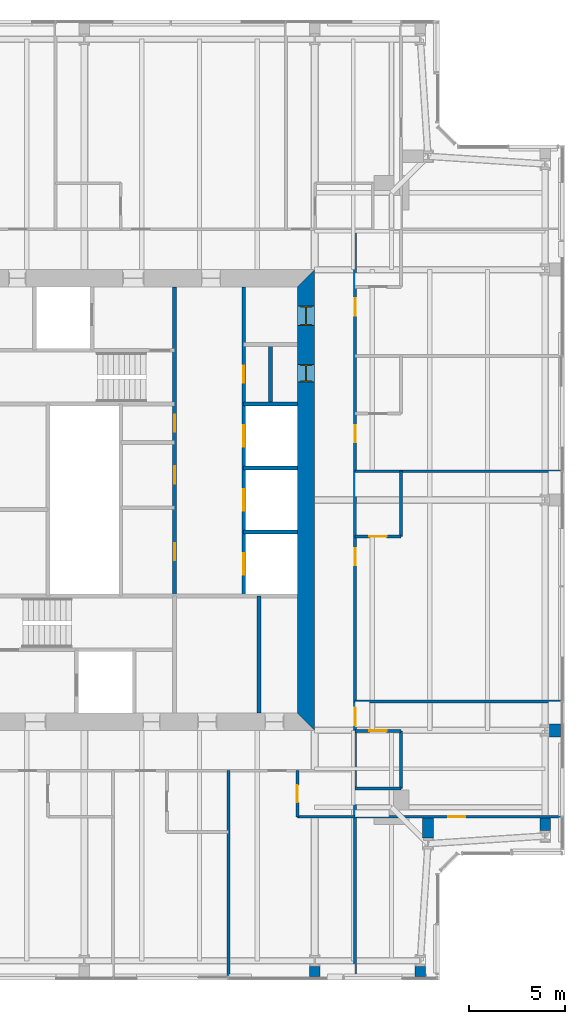
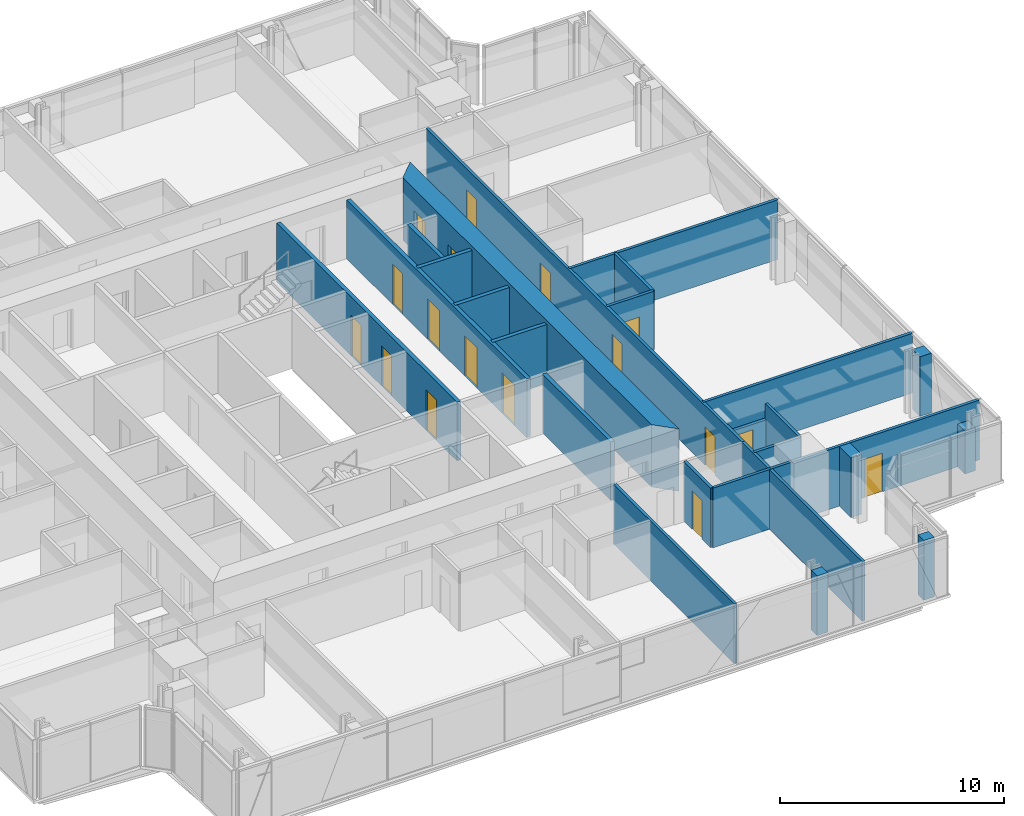
# One storey, part 13 of 20: 26 walls, 17 doors, 17 openings.
"""IFC4 building model written with IfcOpenShell, lengths in metres."""

import ifcopenshell
import ifcopenshell.guid

model = None  # the IFC model being written
_history = None  # IfcOwnerHistory: only IFC2X3 demands one
_inside = {}  # id of a spatial element -> (the spatial element, [elements in it])
_under = {}  # id of a project, library or spatial element -> (it, [spatial elements below it])
_declared = {}  # id of a project -> (the project, [libraries it declares])
_typed = {}  # id of a type object -> (the type object, [elements of that type])
_made_of = {}  # id of a material, layer set ... -> (it, [elements and type objects made of it])


def new_model(schema):
    """Start an empty IFC model of exactly this schema.

    Asked for "IFC4X3", IfcOpenShell would pick the latest addendum, in which some entities
    have other attributes; the version numbers below select the first issue.
    IFC2X3 requires an IfcOwnerHistory on every rooted entity: one is made here for all.
    """
    global model, _history
    if schema == "IFC4X3":
        model = ifcopenshell.file(schema_version=(4, 3, 0, 0))
    else:
        model = ifcopenshell.file(schema=schema)
    _inside.clear()
    _under.clear()
    _declared.clear()
    _typed.clear()
    _made_of.clear()
    _history = None
    if model.schema == "IFC2X3":
        org = make("IfcOrganization", Name="unknown")
        user = make(
            "IfcPersonAndOrganization",
            ThePerson=make("IfcPerson", FamilyName="unknown"),
            TheOrganization=org,
        )
        app = make(
            "IfcApplication",
            ApplicationDeveloper=org,
            Version="unknown",
            ApplicationFullName="unknown",
            ApplicationIdentifier="unknown",
        )
        _history = make(
            "IfcOwnerHistory",
            OwningUser=user,
            OwningApplication=app,
            ChangeAction="ADDED",
            CreationDate=0,
        )
    return model


def make(cls, **values):
    """One entity of the class cls with the attributes given. An attribute that is None is left unset."""
    return model.create_entity(
        cls, **{name: value for name, value in values.items() if value is not None}
    )


def rooted(cls, **values):
    """An entity with a GlobalId (a new one), such as an element, a storey or a relation."""
    return make(cls, GlobalId=ifcopenshell.guid.new(), OwnerHistory=_history, **values)


def si_unit(unit_type, name, prefix=None):
    """IfcSIUnit, for example si_unit("LENGTHUNIT", "METRE", prefix="MILLI")."""
    return make("IfcSIUnit", UnitType=unit_type, Prefix=prefix, Name=name)


def assignment(units):
    """IfcUnitAssignment: the units of a project."""
    return None if units is None else make("IfcUnitAssignment", Units=units)


def point(xyz):
    """IfcCartesianPoint."""
    return None if xyz is None else make("IfcCartesianPoint", Coordinates=xyz)


def direction(xyz):
    """IfcDirection."""
    return None if xyz is None else make("IfcDirection", DirectionRatios=xyz)


def frame(location, z_axis=None, x_axis=None):
    """IfcAxis2Placement3D, a coordinate frame: its origin and axes. An axis left out is left unset."""
    return make(
        "IfcAxis2Placement3D",
        Location=point(location),
        Axis=direction(z_axis),
        RefDirection=direction(x_axis),
    )


def frame_2d(location, x_axis=None):
    """IfcAxis2Placement2D, a coordinate frame in the plane: its origin and x axis."""
    return make(
        "IfcAxis2Placement2D", Location=point(location), RefDirection=direction(x_axis)
    )


def origin():
    """The frame at (0, 0, 0) with its axes left unset."""
    return frame((0.0, 0.0, 0.0))


def place(relative_to, where):
    """IfcLocalPlacement: puts the frame where relative to a parent placement (None: the world)."""
    return make(
        "IfcLocalPlacement", PlacementRelTo=relative_to, RelativePlacement=where
    )


def context(
    kind, dimensions, precision=None, world=None, true_north=None, identifier=None
):
    """IfcGeometricRepresentationContext, for example the 3D "Model" context."""
    return make(
        "IfcGeometricRepresentationContext",
        ContextIdentifier=identifier,
        ContextType=kind,
        CoordinateSpaceDimension=dimensions,
        Precision=precision,
        WorldCoordinateSystem=world,
        TrueNorth=true_north,
    )


def subcontext(parent, identifier, kind, view, scale=None):
    """IfcGeometricRepresentationSubContext, for example "Body" below "Model"."""
    return make(
        "IfcGeometricRepresentationSubContext",
        ContextIdentifier=identifier,
        ContextType=kind,
        ParentContext=parent,
        TargetScale=scale,
        TargetView=view,
    )


def project(units=None, contexts=None):
    """IfcProject with its units and contexts."""
    return rooted(
        "IfcProject",
        Name="project",
        RepresentationContexts=contexts,
        UnitsInContext=assignment(units),
    )


def spatial(cls, under=None, at=None, **own):
    """A site, building, storey or space (cls), placed at a placement, below another one or the project."""
    s = rooted(cls, ObjectPlacement=at, **own)
    if under is not None:
        _under.setdefault(under.id(), (under, []))[1].append(s)
    return s


def polyline(points):
    """IfcPolyline through the points."""
    return make("IfcPolyline", Points=[point(p) for p in points])


def profile(cls, at=None, kind="AREA", **sizes):
    """A parametric profile (cls). Its sizes go by their IFC names, for example OverallWidth=200.0."""
    return make(cls, ProfileType=kind, Position=at, **sizes)


def rectangle(**sizes):
    """IfcRectangleProfileDef."""
    return profile("IfcRectangleProfileDef", **sizes)


def outline(outer, holes=None, kind="AREA"):
    """IfcArbitraryClosedProfileDef: a profile drawn as a closed curve; with holes, ...WithVoids."""
    if holes is None:
        return make("IfcArbitraryClosedProfileDef", ProfileType=kind, OuterCurve=outer)
    return make(
        "IfcArbitraryProfileDefWithVoids",
        ProfileType=kind,
        OuterCurve=outer,
        InnerCurves=holes,
    )


def extrude(swept, where, along, depth):
    """IfcExtrudedAreaSolid: the profile swept, set in the frame where, extruded along a direction by depth."""
    return make(
        "IfcExtrudedAreaSolid",
        SweptArea=swept,
        Position=where,
        ExtrudedDirection=direction(along),
        Depth=depth,
    )


def shape(context_of_items, identifier, shape_type, items):
    """IfcShapeRepresentation: the items that make up one representation, for example the "Body"."""
    return make(
        "IfcShapeRepresentation",
        ContextOfItems=context_of_items,
        RepresentationIdentifier=identifier,
        RepresentationType=shape_type,
        Items=items,
    )


def material(Name=None, Category=None):
    """IfcMaterial."""
    return make("IfcMaterial", Name=Name, Category=Category)


def layer(
    of_material, thickness, ventilated=None, Name=None, Category=None, Priority=None
):
    """IfcMaterialLayer: one layer of a wall or slab, of a material (None: an air gap)."""
    return make(
        "IfcMaterialLayer",
        Material=of_material,
        LayerThickness=thickness,
        IsVentilated=ventilated,
        Name=Name,
        Category=Category,
        Priority=Priority,
    )


def layer_set(layers, Name=None):
    """IfcMaterialLayerSet."""
    return make("IfcMaterialLayerSet", MaterialLayers=layers, LayerSetName=Name)


def made_of(thing, what):
    """Note that an element or type object is made of a material, layer set ...; save() writes the relation."""
    if what is not None:
        _made_of.setdefault(what.id(), (what, []))[1].append(thing)
    return thing


def type_object(cls, material=None, **own):
    """A type object (cls), such as IfcWallType, which elements share."""
    return made_of(rooted(cls, **own), material)


def element(
    cls,
    number,
    at=None,
    inside=None,
    cuts=None,
    type_object=None,
    material=None,
    context=None,
    identifier="Body",
    shape_type=None,
    held_by="IfcProductDefinitionShape",
    body=None,
    shapes=None,
    **own,
):
    """One element of the class cls, such as IfcWall. Its Tag is "e" and its number.

    at: its placement. inside: the storey or other place that contains it. cuts: it is an
    opening in that element (IfcRelVoidsElement). A single representation is given by context,
    identifier, shape_type and body (its items); several are given by shapes. held_by: the class
    of the entity that holds the representations. save() writes the other relations.
    """
    e = rooted(cls, Tag="e%d" % number, ObjectPlacement=at, **own)
    if body is not None:
        shapes = [shape(context, identifier, shape_type, body)]
    if shapes is not None:
        e.Representation = make(held_by, Representations=shapes)
    if inside is not None:
        _inside.setdefault(inside.id(), (inside, []))[1].append(e)
    if cuts is not None:
        rooted(
            "IfcRelVoidsElement", RelatingBuildingElement=cuts, RelatedOpeningElement=e
        )
    if type_object is not None:
        _typed.setdefault(type_object.id(), (type_object, []))[1].append(e)
    return made_of(e, material)


def fill(opening, filler):
    """IfcRelFillsElement: the door or window that sits in an opening."""
    return rooted(
        "IfcRelFillsElement",
        RelatingOpeningElement=opening,
        RelatedBuildingElement=filler,
    )


def aggregate(whole, parts):
    """IfcRelAggregates: a whole, such as a stair, and the parts it consists of."""
    return rooted("IfcRelAggregates", RelatingObject=whole, RelatedObjects=parts)


def save(model, path):
    """Write the relations noted so far, then the file.

    IfcRelAggregates (storeys below a building ...), IfcRelContainedInSpatialStructure (elements
    in a storey), IfcRelDefinesByType, IfcRelAssociatesMaterial and IfcRelDeclares: one each for
    every whole, place, type object, material and project.
    """
    for whole, parts in _under.values():
        aggregate(whole, parts)
    for where, things in _inside.values():
        rooted(
            "IfcRelContainedInSpatialStructure",
            RelatedElements=things,
            RelatingStructure=where,
        )
    for kind, things in _typed.values():
        rooted("IfcRelDefinesByType", RelatedObjects=things, RelatingType=kind)
    for what, things in _made_of.values():
        rooted("IfcRelAssociatesMaterial", RelatedObjects=things, RelatingMaterial=what)
    for by, libraries in _declared.values():
        rooted("IfcRelDeclares", RelatingContext=by, RelatedDefinitions=libraries)
    model.write(path)


model = new_model("IFC4")

# Units and contexts
model_context = context("Model", 3, precision=1e-05, world=origin(), true_north=direction((0.0, 1.0)))
body_context = subcontext(model_context, "Body", "Model", "MODEL_VIEW")
ifc_project = project(units=[si_unit("LENGTHUNIT", "METRE"), si_unit("AREAUNIT", "SQUARE_METRE"), si_unit("VOLUMEUNIT", "CUBIC_METRE"), si_unit("PLANEANGLEUNIT", "RADIAN"), si_unit("MASSUNIT", "GRAM", prefix="KILO")], contexts=[model_context])

# Site, building, storey
site_placement = place(None, origin())
site = spatial("IfcSite", under=ifc_project, at=site_placement, CompositionType="ELEMENT")
building_placement = place(site_placement, origin())
building = spatial("IfcBuilding", under=site, at=building_placement, Name="Fenwick Lantern Interchange", CompositionType="ELEMENT")
storey_placement = place(building_placement, frame((0.0, 0.0, 259.39990234375)))
storey = spatial("IfcBuildingStorey", under=building, at=storey_placement, Name="L61", CompositionType="ELEMENT", Elevation=259.39990234375)

# Walls
ifc_material_1 = material(Name="Fire-rated gypsum board encasement on steel studs, 2 hour", Category="steel")
ifc_layer_1 = layer(ifc_material_1, 0.554931640625)
ifc_layer_set_1 = layer_set([ifc_layer_1], Name="COLUMN PIER 555")
wall_type_1 = type_object("IfcWallType", Name="COLUMN PIER 555", PredefinedType="PARTITIONING", material=ifc_layer_set_1)
for number, where, z_axis, x_axis, name in (
    (1, (37.0, 0.18994140625, 0.0), (0.0, 0.0, 1.0), (0.0, 1.0, 0.0), "L61/W/PIER/CS4"),
    (2, (42.5, 0.18994140625, 0.0), (0.0, 0.0, 1.0), (0.0, 1.0, 0.0), "L61/W/PIER/CS5"),
):
    element("IfcWall", number, at=place(storey_placement, frame(where, z_axis=z_axis, x_axis=x_axis)), inside=storey, type_object=wall_type_1, Name=name, PredefinedType="PARTITIONING", context=body_context, shape_type="SweptSolid", body=[
        extrude(rectangle(XDim=0.525634765625, YDim=0.554931640625, at=frame_2d((0.2626953125, 0.0))), origin(), (0.0, 0.0, 1.0), 3.25),
    ])
wall_1_placement = place(storey_placement, frame((42.89990234375, 8.425048828125, 0.0), z_axis=(0.0, 0.0, 1.0), x_axis=(0.0, -1.0, 0.0)))
element("IfcWall", 3, at=wall_1_placement, inside=storey, type_object=wall_type_1, Name="L61/W/PIER/CSR", PredefinedType="PARTITIONING", context=body_context, shape_type="SweptSolid", body=[
    extrude(rectangle(XDim=1.04052734375, YDim=0.554931640625, at=frame_2d((0.520263671875, 0.0))), origin(), (0.0, 0.0, 1.0), 3.25),
])
wall_2_placement = place(storey_placement, frame((49.0, 8.425048828125, 0.0), z_axis=(0.0, 0.0, 1.0), x_axis=(0.0, -1.0, 0.0)))
element("IfcWall", 4, at=wall_2_placement, inside=storey, type_object=wall_type_1, Name="L61/W/PIER/CE1", PredefinedType="PARTITIONING", context=body_context, shape_type="SweptSolid", body=[
    extrude(rectangle(XDim=0.640625, YDim=0.554931640625, at=frame_2d((0.3203125, 0.0))), origin(), (0.0, 0.0, 1.0), 2.338134765625),
])
ifc_layer_2 = layer(ifc_material_1, 0.6689453125)
ifc_layer_set_2 = layer_set([ifc_layer_2], Name="COLUMN PIER 669")
wall_type_2 = type_object("IfcWallType", Name="COLUMN PIER 669", PredefinedType="PARTITIONING", material=ifc_layer_set_2)
wall_3_placement = place(storey_placement, frame((49.81005859375, 13.0, 0.0), z_axis=(0.0, 0.0, 1.0), x_axis=(-1.0, 0.0, 0.0)))
element("IfcWall", 5, at=wall_3_placement, inside=storey, type_object=wall_type_2, Name="L61/W/PIER/CE2", PredefinedType="PARTITIONING", context=body_context, shape_type="SweptSolid", body=[
    extrude(rectangle(XDim=0.582763671875, YDim=0.6689453125, at=frame_2d((0.29150390625, 0.0))), origin(), (0.0, 0.0, 1.0), 3.25),
])
ifc_material_2 = material(Name="Concrete masonry ASTM C90 Grade N", Category="masonry")
ifc_layer_3 = layer(ifc_material_2, 0.199951171875)
ifc_layer_set_3 = layer_set([ifc_layer_3], Name="Concrete masonry ASTM C90 Grade N")
wall_type_3 = type_object("IfcWallType", Name="CORE PARTITION 200", PredefinedType="PARTITIONING", material=ifc_layer_set_3)
wall_4_placement = place(storey_placement, frame((34.10009765625, 13.89990234375, 0.0), z_axis=(0.0, 0.0, 1.0), x_axis=(0.0, 1.0, 0.0)))
element("IfcWall", 6, at=wall_4_placement, inside=storey, type_object=wall_type_3, Name="L61/W/CORES/i2", PredefinedType="PARTITIONING", context=body_context, shape_type="SweptSolid", body=[
    extrude(rectangle(XDim=6.10009765625, YDim=0.199951171875, at=frame_2d((3.050048828125, 0.0))), origin(), (0.0, 0.0, 1.0), 3.2001953125),
])

# Wall, openings, doors
wall_5_placement = place(storey_placement, frame((33.300048828125, 36.10009765625, 0.0), z_axis=(0.0, 0.0, 1.0), x_axis=(0.0, -1.0, 0.0)))
wall_5 = element("IfcWall", 7, at=wall_5_placement, inside=storey, type_object=wall_type_3, Name="L61/W/COREN/a", PredefinedType="PARTITIONING", context=body_context, shape_type="SweptSolid", body=[
    extrude(rectangle(XDim=16.10009765625, YDim=0.199951171875, at=frame_2d((8.050048828125, 0.0))), origin(), (0.0, 0.0, 1.0), 3.2001953125),
])
opening_1_placement = place(wall_5_placement, frame((4.10009765625, 0.0, 0.0)))
opening_1 = element("IfcOpeningElement", 8, at=opening_1_placement, cuts=wall_5, Name="Opening L61-D021", PredefinedType="OPENING", context=body_context, shape_type="SweptSolid", body=[
    extrude(rectangle(XDim=0.89990234375, YDim=2.199951171875, at=frame_2d((0.449951171875, 1.10009765625))), frame((0.0, 0.10986328125, 0.0), z_axis=(0.0, -1.0, 0.0), x_axis=(1.0, 0.0, 0.0)), (0.0, 0.0, 1.0), 0.219970703125),
])
opening_2_placement = place(wall_5_placement, frame((7.216552734375, 0.0, 0.0)))
opening_2 = element("IfcOpeningElement", 9, at=opening_2_placement, cuts=wall_5, Name="Opening LD-E1-1", PredefinedType="OPENING", context=body_context, shape_type="SweptSolid", body=[
    extrude(rectangle(XDim=1.10009765625, YDim=2.199951171875, at=frame_2d((0.550048828125, 1.10009765625))), frame((0.0, 0.10986328125, 0.0), z_axis=(0.0, -1.0, 0.0), x_axis=(1.0, 0.0, 0.0)), (0.0, 0.0, 1.0), 0.219970703125),
])
opening_3_placement = place(wall_5_placement, frame((10.550048828125, 0.0, 0.0)))
opening_3 = element("IfcOpeningElement", 10, at=opening_3_placement, cuts=wall_5, Name="Opening LD-E1-2", PredefinedType="OPENING", context=body_context, shape_type="SweptSolid", body=[
    extrude(rectangle(XDim=1.10009765625, YDim=2.199951171875, at=frame_2d((0.550048828125, 1.10009765625))), frame((0.0, 0.10986328125, 0.0), z_axis=(0.0, -1.0, 0.0), x_axis=(1.0, 0.0, 0.0)), (0.0, 0.0, 1.0), 0.219970703125),
])
opening_4_placement = place(wall_5_placement, frame((13.88330078125, 0.0, 0.0)))
opening_4 = element("IfcOpeningElement", 11, at=opening_4_placement, cuts=wall_5, Name="Opening LD-E1-3", PredefinedType="OPENING", context=body_context, shape_type="SweptSolid", body=[
    extrude(rectangle(XDim=1.10009765625, YDim=2.199951171875, at=frame_2d((0.550048828125, 1.10009765625))), frame((0.0, 0.10986328125, 0.0), z_axis=(0.0, -1.0, 0.0), x_axis=(1.0, 0.0, 0.0)), (0.0, 0.0, 1.0), 0.219970703125),
])
ifc_material_3 = material(Name="Steel door and frame", Category="steel")
door_type_1 = type_object("IfcDoorType", Name="LIFT LANDING DOOR 1100 X 2200", OperationType="DOUBLE_DOOR_SLIDING", PredefinedType="DOOR", material=ifc_material_3)
door_1_placement = place(opening_2_placement, origin())
door_1 = element("IfcDoor", 12, at=door_1_placement, inside=storey, type_object=door_type_1, Name="Lift landing door E1-1", OperationType="DOUBLE_DOOR_SLIDING", OverallHeight=2.199951171875, OverallWidth=1.10009765625, PredefinedType="DOOR", context=body_context, shape_type="SweptSolid", body=[
    extrude(rectangle(XDim=1.10009765625, YDim=2.199951171875, at=frame_2d((0.550048828125, 1.10009765625))), frame((0.0, 0.02490234375, 0.0), z_axis=(0.0, -1.0, 0.0), x_axis=(1.0, 0.0, 0.0)), (0.0, 0.0, 1.0), 0.050048828125),
])
fill(opening_2, door_1)
door_2_placement = place(opening_3_placement, origin())
door_2 = element("IfcDoor", 13, at=door_2_placement, inside=storey, type_object=door_type_1, Name="Lift landing door E1-2", OperationType="DOUBLE_DOOR_SLIDING", OverallHeight=2.199951171875, OverallWidth=1.10009765625, PredefinedType="DOOR", context=body_context, shape_type="SweptSolid", body=[
    extrude(rectangle(XDim=1.10009765625, YDim=2.199951171875, at=frame_2d((0.550048828125, 1.10009765625))), frame((0.0, 0.02490234375, 0.0), z_axis=(0.0, -1.0, 0.0), x_axis=(1.0, 0.0, 0.0)), (0.0, 0.0, 1.0), 0.050048828125),
])
fill(opening_3, door_2)
door_3_placement = place(opening_4_placement, origin())
door_3 = element("IfcDoor", 14, at=door_3_placement, inside=storey, type_object=door_type_1, Name="Lift landing door E1-3", OperationType="DOUBLE_DOOR_SLIDING", OverallHeight=2.199951171875, OverallWidth=1.10009765625, PredefinedType="DOOR", context=body_context, shape_type="SweptSolid", body=[
    extrude(rectangle(XDim=1.10009765625, YDim=2.199951171875, at=frame_2d((0.550048828125, 1.10009765625))), frame((0.0, 0.02490234375, 0.0), z_axis=(0.0, -1.0, 0.0), x_axis=(1.0, 0.0, 0.0)), (0.0, 0.0, 1.0), 0.050048828125),
])
fill(opening_4, door_3)
door_type_2 = type_object("IfcDoorType", Name="SERVICE DOOR 900 X 2200", OperationType="SINGLE_SWING_LEFT", PredefinedType="DOOR", material=ifc_material_3)
door_4_placement = place(opening_1_placement, origin())
door_4 = element("IfcDoor", 15, at=door_4_placement, inside=storey, type_object=door_type_2, Name="Service door", OperationType="SINGLE_SWING_LEFT", OverallHeight=2.199951171875, OverallWidth=0.89990234375, PredefinedType="DOOR", context=body_context, shape_type="SweptSolid", body=[
    extrude(rectangle(XDim=0.89990234375, YDim=2.199951171875, at=frame_2d((0.449951171875, 1.10009765625))), frame((0.0, 0.02490234375, 0.0), z_axis=(0.0, -1.0, 0.0), x_axis=(1.0, 0.0, 0.0)), (0.0, 0.0, 1.0), 0.050048828125),
])
fill(opening_1, door_4)

# Walls
for number, where, z_axis, x_axis, name in (
    (16, (36.10009765625, 30.0, 0.0), (0.0, 0.0, 1.0), (-1.0, 0.0, 0.0), "L61/W/COREN/c2"),
    (17, (36.10009765625, 26.666748046875, 0.0), (0.0, 0.0, 1.0), (-1.0, 0.0, 0.0), "L61/W/COREN/d1"),
    (18, (36.10009765625, 23.333251953125, 0.0), (0.0, 0.0, 1.0), (-1.0, 0.0, 0.0), "L61/W/COREN/d2"),
):
    element("IfcWall", number, at=place(storey_placement, frame(where, z_axis=z_axis, x_axis=x_axis)), inside=storey, type_object=wall_type_3, Name=name, PredefinedType="PARTITIONING", context=body_context, shape_type="SweptSolid", body=[
        extrude(rectangle(XDim=2.800048828125, YDim=0.199951171875, at=frame_2d((1.39990234375, 0.0))), origin(), (0.0, 0.0, 1.0), 3.2001953125),
    ])
wall_6_placement = place(storey_placement, frame((34.699951171875, 33.10009765625, 0.0), z_axis=(0.0, 0.0, 1.0), x_axis=(0.0, -1.0, 0.0)))
element("IfcWall", 19, at=wall_6_placement, inside=storey, type_object=wall_type_3, Name="L61/W/COREN/px", PredefinedType="PARTITIONING", context=body_context, shape_type="SweptSolid", body=[
    extrude(rectangle(XDim=3.10009765625, YDim=0.199951171875, at=frame_2d((1.550048828125, 0.0))), origin(), (0.0, 0.0, 1.0), 3.2001953125),
])

# Wall, openings, doors
ifc_material_4 = material(Name="Concrete f'c 70 MPa", Category="concrete")
ifc_layer_4 = layer(ifc_material_4, 0.89990234375)
ifc_layer_set_4 = layer_set([ifc_layer_4], Name="CORE WALL 900")
wall_type_4 = type_object("IfcWallType", Name="CORE WALL 900", PredefinedType="SHEAR", material=ifc_layer_set_4)
wall_7_placement = place(storey_placement, frame((36.550048828125, 13.89990234375, 0.0), z_axis=(0.0, 0.0, 1.0), x_axis=(0.0, 1.0, 0.0)))
wall_7 = element("IfcWall", 20, at=wall_7_placement, inside=storey, type_object=wall_type_4, Name="L61/CORE/E", PredefinedType="SHEAR", context=body_context, shape_type="SweptSolid", body=[
    extrude(outline(polyline([(-0.89990234375, -0.449951171875), (23.10009765625, -0.449951171875), (22.199951171875, 0.449951171875), (0.0, 0.449951171875), (-0.89990234375, -0.449951171875)])), origin(), (0.0, 0.0, 1.0), 3.400146484375),
])
opening_5_placement = place(wall_7_placement, frame((20.199951171875, 0.0, 0.0)))
opening_5 = element("IfcOpeningElement", 21, at=opening_5_placement, cuts=wall_7, Name="Opening L61-D020", PredefinedType="OPENING", context=body_context, shape_type="SweptSolid", body=[
    extrude(rectangle(XDim=1.0, YDim=2.199951171875, at=frame_2d((0.5, 1.10009765625))), frame((0.0, 0.4599609375, 0.0), z_axis=(0.0, -1.0, 0.0), x_axis=(1.0, 0.0, 0.0)), (0.0, 0.0, 1.0), 0.919921875),
])
opening_6_placement = place(wall_7_placement, frame((17.25, 0.0, 0.0)))
opening_6 = element("IfcOpeningElement", 22, at=opening_6_placement, cuts=wall_7, Name="Opening L61-D022", PredefinedType="OPENING", context=body_context, shape_type="SweptSolid", body=[
    extrude(rectangle(XDim=0.89990234375, YDim=2.199951171875, at=frame_2d((0.449951171875, 1.10009765625))), frame((0.0, 0.4599609375, 0.0), z_axis=(0.0, -1.0, 0.0), x_axis=(1.0, 0.0, 0.0)), (0.0, 0.0, 1.0), 0.919921875),
])
door_5_placement = place(opening_6_placement, origin())
door_5 = element("IfcDoor", 23, at=door_5_placement, inside=storey, type_object=door_type_2, Name="Service door", OperationType="SINGLE_SWING_RIGHT", OverallHeight=2.199951171875, OverallWidth=0.89990234375, PredefinedType="DOOR", context=body_context, shape_type="SweptSolid", body=[
    extrude(rectangle(XDim=0.89990234375, YDim=2.199951171875, at=frame_2d((0.449951171875, 1.10009765625))), frame((0.0, 0.02490234375, 0.0), z_axis=(0.0, -1.0, 0.0), x_axis=(1.0, 0.0, 0.0)), (0.0, 0.0, 1.0), 0.050048828125),
    extrude(outline(polyline([(0.0, 0.0), (0.0400390625, 0.0), (0.0400390625, 2.159912109375), (0.85986328125, 2.159912109375), (0.85986328125, 0.0), (0.89990234375, 0.0), (0.89990234375, 2.199951171875), (0.0, 2.199951171875), (0.0, 0.0)])), frame((0.0, 0.300048828125, 0.0), z_axis=(0.0, -1.0, 0.0), x_axis=(1.0, 0.0, 0.0)), (0.0, 0.0, 1.0), 0.60009765625),
])
fill(opening_6, door_5)
ifc_material_5 = material(Name="Hardwood door and steel frame", Category="steel")
door_type_3 = type_object("IfcDoorType", Name="WC DOOR 1000 X 2200", OperationType="SINGLE_SWING_LEFT", PredefinedType="DOOR", material=ifc_material_5)
door_6_placement = place(opening_5_placement, origin())
door_6 = element("IfcDoor", 24, at=door_6_placement, inside=storey, type_object=door_type_3, Name="Wc door", OperationType="SINGLE_SWING_LEFT", OverallHeight=2.199951171875, OverallWidth=1.0, PredefinedType="DOOR", context=body_context, shape_type="SweptSolid", body=[
    extrude(rectangle(XDim=1.0, YDim=2.199951171875, at=frame_2d((0.5, 1.10009765625))), frame((0.0, 0.02490234375, 0.0), z_axis=(0.0, -1.0, 0.0), x_axis=(1.0, 0.0, 0.0)), (0.0, 0.0, 1.0), 0.050048828125),
    extrude(outline(polyline([(0.0, 0.0), (0.0400390625, 0.0), (0.0400390625, 2.159912109375), (0.9599609375, 2.159912109375), (0.9599609375, 0.0), (1.0, 0.0), (1.0, 2.199951171875), (0.0, 2.199951171875), (0.0, 0.0)])), frame((0.0, 0.300048828125, 0.0), z_axis=(0.0, -1.0, 0.0), x_axis=(1.0, 0.0, 0.0)), (0.0, 0.0, 1.0), 0.60009765625),
])
fill(opening_5, door_6)

ifc_material_6 = material(Name="Gypsum board on steel studs, 1 hour", Category="steel")
ifc_layer_5 = layer(ifc_material_6, 0.14990234375)
ifc_layer_set_5 = layer_set([ifc_layer_5], Name="CORRIDOR WALL 150")
wall_type_5 = type_object("IfcWallType", Name="CORRIDOR WALL 150", PredefinedType="PARTITIONING", material=ifc_layer_set_5)
wall_8_placement = place(storey_placement, frame((39.10009765625, 10.89990234375, 0.0), z_axis=(0.0, 0.0, 1.0), x_axis=(0.0, 1.0, 0.0)))
wall_8 = element("IfcWall", 25, at=wall_8_placement, inside=storey, type_object=wall_type_5, Name="L61/W/HOTEL/E/CW", PredefinedType="PARTITIONING", context=body_context, shape_type="SweptSolid", body=[
    extrude(rectangle(XDim=28.2001953125, YDim=0.14990234375, at=frame_2d((14.10009765625, 0.0))), origin(), (0.0, 0.0, 1.0), 3.25),
])
opening_7_placement = place(wall_8_placement, frame((2.375, 0.0, 0.0)))
opening_7 = element("IfcOpeningElement", 26, at=opening_7_placement, cuts=wall_8, Name="Opening L61-D037", PredefinedType="OPENING", context=body_context, shape_type="SweptSolid", body=[
    extrude(rectangle(XDim=0.89990234375, YDim=2.10009765625, at=frame_2d((0.449951171875, 1.050048828125))), frame((0.0, 0.0849609375, 0.0), z_axis=(0.0, -1.0, 0.0), x_axis=(1.0, 0.0, 0.0)), (0.0, 0.0, 1.0), 0.169921875),
])
opening_8_placement = place(wall_8_placement, frame((10.699951171875, 0.0, 0.0)))
opening_8 = element("IfcOpeningElement", 27, at=opening_8_placement, cuts=wall_8, Name="Opening L61-D039", PredefinedType="OPENING", context=body_context, shape_type="SweptSolid", body=[
    extrude(rectangle(XDim=0.89990234375, YDim=2.10009765625, at=frame_2d((0.449951171875, 1.050048828125))), frame((0.0, 0.0849609375, 0.0), z_axis=(0.0, -1.0, 0.0), x_axis=(1.0, 0.0, 0.0)), (0.0, 0.0, 1.0), 0.169921875),
])
opening_9_placement = place(wall_8_placement, frame((17.10009765625, 0.0, 0.0)))
opening_9 = element("IfcOpeningElement", 28, at=opening_9_placement, cuts=wall_8, Name="Opening L61-D041", PredefinedType="OPENING", context=body_context, shape_type="SweptSolid", body=[
    extrude(rectangle(XDim=0.89990234375, YDim=2.10009765625, at=frame_2d((0.449951171875, 1.050048828125))), frame((0.0, 0.0849609375, 0.0), z_axis=(0.0, -1.0, 0.0), x_axis=(1.0, 0.0, 0.0)), (0.0, 0.0, 1.0), 0.169921875),
])
opening_10_placement = place(wall_8_placement, frame((23.699951171875, 0.0, 0.0)))
opening_10 = element("IfcOpeningElement", 29, at=opening_10_placement, cuts=wall_8, Name="Opening L61-D043", PredefinedType="OPENING", context=body_context, shape_type="SweptSolid", body=[
    extrude(rectangle(XDim=0.89990234375, YDim=2.10009765625, at=frame_2d((0.449951171875, 1.050048828125))), frame((0.0, 0.0849609375, 0.0), z_axis=(0.0, -1.0, 0.0), x_axis=(1.0, 0.0, 0.0)), (0.0, 0.0, 1.0), 0.169921875),
])
door_type_4 = type_object("IfcDoorType", Name="GUEST ROOM DOOR 900 X 2100", OperationType="SINGLE_SWING_LEFT", PredefinedType="DOOR", material=ifc_material_3)
door_7_placement = place(opening_7_placement, frame((0.89990234375, 0.0, 0.0), z_axis=(0.0, 0.0, 1.0), x_axis=(-1.0, 0.0, 0.0)))
door_7 = element("IfcDoor", 30, at=door_7_placement, inside=storey, type_object=door_type_4, Name="Guest room door", OperationType="SINGLE_SWING_RIGHT", OverallHeight=2.10009765625, OverallWidth=0.89990234375, PredefinedType="DOOR", context=body_context, shape_type="SweptSolid", body=[
    extrude(rectangle(XDim=0.89990234375, YDim=2.10009765625, at=frame_2d((0.449951171875, 1.050048828125))), frame((0.0, 0.02490234375, 0.0), z_axis=(0.0, -1.0, 0.0), x_axis=(1.0, 0.0, 0.0)), (0.0, 0.0, 1.0), 0.050048828125),
])
fill(opening_7, door_7)
door_8_placement = place(opening_8_placement, frame((0.89990234375, 0.0, 0.0), z_axis=(0.0, 0.0, 1.0), x_axis=(-1.0, 0.0, 0.0)))
door_8 = element("IfcDoor", 31, at=door_8_placement, inside=storey, type_object=door_type_4, Name="Guest room door", OperationType="SINGLE_SWING_LEFT", OverallHeight=2.10009765625, OverallWidth=0.89990234375, PredefinedType="DOOR", context=body_context, shape_type="SweptSolid", body=[
    extrude(rectangle(XDim=0.89990234375, YDim=2.10009765625, at=frame_2d((0.449951171875, 1.050048828125))), frame((0.0, 0.02490234375, 0.0), z_axis=(0.0, -1.0, 0.0), x_axis=(1.0, 0.0, 0.0)), (0.0, 0.0, 1.0), 0.050048828125),
])
fill(opening_8, door_8)
door_9_placement = place(opening_9_placement, frame((0.89990234375, 0.0, 0.0), z_axis=(0.0, 0.0, 1.0), x_axis=(-1.0, 0.0, 0.0)))
door_9 = element("IfcDoor", 32, at=door_9_placement, inside=storey, type_object=door_type_4, Name="Guest room door", OperationType="SINGLE_SWING_LEFT", OverallHeight=2.10009765625, OverallWidth=0.89990234375, PredefinedType="DOOR", context=body_context, shape_type="SweptSolid", body=[
    extrude(rectangle(XDim=0.89990234375, YDim=2.10009765625, at=frame_2d((0.449951171875, 1.050048828125))), frame((0.0, 0.02490234375, 0.0), z_axis=(0.0, -1.0, 0.0), x_axis=(1.0, 0.0, 0.0)), (0.0, 0.0, 1.0), 0.050048828125),
])
fill(opening_9, door_9)
door_10_placement = place(opening_10_placement, frame((0.89990234375, 0.0, 0.0), z_axis=(0.0, 0.0, 1.0), x_axis=(-1.0, 0.0, 0.0)))
door_10 = element("IfcDoor", 33, at=door_10_placement, inside=storey, type_object=door_type_4, Name="Guest room door", OperationType="SINGLE_SWING_LEFT", OverallHeight=2.10009765625, OverallWidth=0.89990234375, PredefinedType="DOOR", context=body_context, shape_type="SweptSolid", body=[
    extrude(rectangle(XDim=0.89990234375, YDim=2.10009765625, at=frame_2d((0.449951171875, 1.050048828125))), frame((0.0, 0.02490234375, 0.0), z_axis=(0.0, -1.0, 0.0), x_axis=(1.0, 0.0, 0.0)), (0.0, 0.0, 1.0), 0.050048828125),
])
fill(opening_10, door_10)

# Wall
ifc_material_7 = material(Name="Gypsum board on steel studs, moisture resistant", Category="steel")
ifc_layer_6 = layer(ifc_material_7, 0.14990234375)
ifc_layer_set_6 = layer_set([ifc_layer_6], Name="EN-SUITE WALL 150")
wall_type_6 = type_object("IfcWallType", Name="EN-SUITE WALL 150", PredefinedType="PARTITIONING", material=ifc_layer_set_6)
wall_9_placement = place(storey_placement, frame((36.10009765625, 8.5, 0.0), z_axis=(0.0, 0.0, 1.0), x_axis=(1.0, 0.0, 0.0)))
element("IfcWall", 34, at=wall_9_placement, inside=storey, type_object=wall_type_6, Name="L61/W/HOTEL/S/U4BW", PredefinedType="PARTITIONING", context=body_context, shape_type="SweptSolid", body=[
    extrude(rectangle(XDim=3.0, YDim=0.14990234375, at=frame_2d((1.5, 0.0))), origin(), (0.0, 0.0, 1.0), 3.25),
])

# Wall, opening, door
wall_10_placement = place(storey_placement, frame((36.10009765625, 8.5, 0.0), z_axis=(0.0, 0.0, 1.0), x_axis=(0.0, 1.0, 0.0)))
wall_10 = element("IfcWall", 35, at=wall_10_placement, inside=storey, type_object=wall_type_6, Name="L61/W/HOTEL/S/U4BX", PredefinedType="PARTITIONING", context=body_context, shape_type="SweptSolid", body=[
    extrude(rectangle(XDim=2.39990234375, YDim=0.14990234375, at=frame_2d((1.199951171875, 0.0))), origin(), (0.0, 0.0, 1.0), 3.25),
])
opening_11_placement = place(wall_10_placement, frame((0.75, 0.0, 0.0)))
opening_11 = element("IfcOpeningElement", 36, at=opening_11_placement, cuts=wall_10, Name="Opening L61-D033", PredefinedType="OPENING", context=body_context, shape_type="SweptSolid", body=[
    extrude(rectangle(XDim=0.89990234375, YDim=2.10009765625, at=frame_2d((0.449951171875, 1.050048828125))), frame((0.0, 0.0849609375, 0.0), z_axis=(0.0, -1.0, 0.0), x_axis=(1.0, 0.0, 0.0)), (0.0, 0.0, 1.0), 0.169921875),
])
door_type_5 = type_object("IfcDoorType", Name="EN-SUITE DOOR 900 X 2100", OperationType="SINGLE_SWING_LEFT", PredefinedType="DOOR", material=ifc_material_5)
door_11_placement = place(opening_11_placement, frame((0.89990234375, 0.0, 0.0), z_axis=(0.0, 0.0, 1.0), x_axis=(-1.0, 0.0, 0.0)))
door_11 = element("IfcDoor", 37, at=door_11_placement, inside=storey, type_object=door_type_5, Name="En-suite door", OperationType="SINGLE_SWING_RIGHT", OverallHeight=2.10009765625, OverallWidth=0.89990234375, PredefinedType="DOOR", context=body_context, shape_type="SweptSolid", body=[
    extrude(rectangle(XDim=0.89990234375, YDim=2.10009765625, at=frame_2d((0.449951171875, 1.050048828125))), frame((0.0, 0.02490234375, 0.0), z_axis=(0.0, -1.0, 0.0), x_axis=(1.0, 0.0, 0.0)), (0.0, 0.0, 1.0), 0.050048828125),
])
fill(opening_11, door_11)

# Wall
wall_11_placement = place(storey_placement, frame((41.5, 9.97509765625, 0.0), z_axis=(0.0, 0.0, 1.0), x_axis=(0.0, 1.0, 0.0)))
element("IfcWall", 38, at=wall_11_placement, inside=storey, type_object=wall_type_6, Name="L61/W/HOTEL/E/U1BW", PredefinedType="PARTITIONING", context=body_context, shape_type="SweptSolid", body=[
    extrude(rectangle(XDim=3.0, YDim=0.14990234375, at=frame_2d((1.5, 0.0))), origin(), (0.0, 0.0, 1.0), 3.25),
])

# Wall, opening, door
wall_12_placement = place(storey_placement, frame((41.5, 12.97509765625, 0.0), z_axis=(0.0, 0.0, 1.0), x_axis=(-1.0, 0.0, 0.0)))
wall_12 = element("IfcWall", 39, at=wall_12_placement, inside=storey, type_object=wall_type_6, Name="L61/W/HOTEL/E/U1BX", PredefinedType="PARTITIONING", context=body_context, shape_type="SweptSolid", body=[
    extrude(rectangle(XDim=2.39990234375, YDim=0.14990234375, at=frame_2d((1.199951171875, 0.0))), origin(), (0.0, 0.0, 1.0), 2.404296875),
])
opening_12_placement = place(wall_12_placement, frame((0.75, 0.0, 0.0)))
opening_12 = element("IfcOpeningElement", 40, at=opening_12_placement, cuts=wall_12, Name="Opening L61-D035", PredefinedType="OPENING", context=body_context, shape_type="SweptSolid", body=[
    extrude(rectangle(XDim=0.89990234375, YDim=2.10009765625, at=frame_2d((0.449951171875, 1.050048828125))), frame((0.0, 0.0849609375, 0.0), z_axis=(0.0, -1.0, 0.0), x_axis=(1.0, 0.0, 0.0)), (0.0, 0.0, 1.0), 0.169921875),
])
door_12_placement = place(opening_12_placement, origin())
door_12 = element("IfcDoor", 41, at=door_12_placement, inside=storey, type_object=door_type_5, Name="En-suite door", OperationType="SINGLE_SWING_LEFT", OverallHeight=2.10009765625, OverallWidth=0.89990234375, PredefinedType="DOOR", context=body_context, shape_type="SweptSolid", body=[
    extrude(rectangle(XDim=0.89990234375, YDim=2.10009765625, at=frame_2d((0.449951171875, 1.050048828125))), frame((0.0, 0.02490234375, 0.0), z_axis=(0.0, -1.0, 0.0), x_axis=(1.0, 0.0, 0.0)), (0.0, 0.0, 1.0), 0.050048828125),
])
fill(opening_12, door_12)

# Walls
wall_13_placement = place(storey_placement, frame((41.5, 9.97509765625, 0.0), z_axis=(0.0, 0.0, 1.0), x_axis=(-1.0, 0.0, 0.0)))
element("IfcWall", 42, at=wall_13_placement, inside=storey, type_object=wall_type_6, Name="L61/W/HOTEL/E/U1BV", PredefinedType="PARTITIONING", context=body_context, shape_type="SweptSolid", body=[
    extrude(rectangle(XDim=2.39990234375, YDim=0.14990234375, at=frame_2d((1.199951171875, 0.0))), origin(), (0.0, 0.0, 1.0), 3.25),
])
wall_14_placement = place(storey_placement, frame((41.5, 23.10009765625, 0.0), z_axis=(0.0, 0.0, 1.0), x_axis=(0.0, 1.0, 0.0)))
element("IfcWall", 43, at=wall_14_placement, inside=storey, type_object=wall_type_6, Name="L61/W/HOTEL/E/U2BW", PredefinedType="PARTITIONING", context=body_context, shape_type="SweptSolid", body=[
    extrude(rectangle(XDim=3.39990234375, YDim=0.14990234375, at=frame_2d((1.699951171875, 0.0))), origin(), (0.0, 0.0, 1.0), 3.25),
])

# Wall, opening, door
wall_15_placement = place(storey_placement, frame((41.5, 23.10009765625, 0.0), z_axis=(0.0, 0.0, 1.0), x_axis=(-1.0, 0.0, 0.0)))
wall_15 = element("IfcWall", 44, at=wall_15_placement, inside=storey, type_object=wall_type_6, Name="L61/W/HOTEL/E/U2BX", PredefinedType="PARTITIONING", context=body_context, shape_type="SweptSolid", body=[
    extrude(rectangle(XDim=2.39990234375, YDim=0.14990234375, at=frame_2d((1.199951171875, 0.0))), origin(), (0.0, 0.0, 1.0), 3.25),
])
opening_13_placement = place(wall_15_placement, frame((0.75, 0.0, 0.0)))
opening_13 = element("IfcOpeningElement", 45, at=opening_13_placement, cuts=wall_15, Name="Opening L61-D038", PredefinedType="OPENING", context=body_context, shape_type="SweptSolid", body=[
    extrude(rectangle(XDim=0.89990234375, YDim=2.10009765625, at=frame_2d((0.449951171875, 1.050048828125))), frame((0.0, 0.0849609375, 0.0), z_axis=(0.0, -1.0, 0.0), x_axis=(1.0, 0.0, 0.0)), (0.0, 0.0, 1.0), 0.169921875),
])
door_13_placement = place(opening_13_placement, frame((0.89990234375, 0.0, 0.0), z_axis=(0.0, 0.0, 1.0), x_axis=(-1.0, 0.0, 0.0)))
door_13 = element("IfcDoor", 46, at=door_13_placement, inside=storey, type_object=door_type_5, Name="En-suite door", OperationType="SINGLE_SWING_RIGHT", OverallHeight=2.10009765625, OverallWidth=0.89990234375, PredefinedType="DOOR", context=body_context, shape_type="SweptSolid", body=[
    extrude(rectangle(XDim=0.89990234375, YDim=2.10009765625, at=frame_2d((0.449951171875, 1.050048828125))), frame((0.0, 0.02490234375, 0.0), z_axis=(0.0, -1.0, 0.0), x_axis=(1.0, 0.0, 0.0)), (0.0, 0.0, 1.0), 0.050048828125),
])
fill(opening_13, door_13)

# Walls
ifc_material_8 = material(Name="Gypsum board on steel studs, 1 hour acoustic", Category="steel")
ifc_layer_7 = layer(ifc_material_8, 0.14990234375)
ifc_layer_set_7 = layer_set([ifc_layer_7], Name="PARTY WALL 150")
wall_type_7 = type_object("IfcWallType", Name="PARTY WALL 150", PredefinedType="PARTITIONING", material=ifc_layer_set_7)
for number, where, z_axis, x_axis, name in (
    (47, (32.5, 0.14990234375, 0.0), (0.0, 0.0, 1.0), (0.0, 1.0, 0.0), "L61/W/HOTEL/S/U4PW"),
    (48, (39.10009765625, 0.14990234375, 0.0), (0.0, 0.0, 1.0), (0.0, 1.0, 0.0), "L61/W/HOTEL/E/SW3"),
    (49, (49.85009765625, 14.5, 0.0), (0.0, 0.0, 1.0), (-1.0, 0.0, 0.0), "L61/W/HOTEL/E/U2PW"),
    (50, (49.85009765625, 26.5, 0.0), (0.0, 0.0, 1.0), (-1.0, 0.0, 0.0), "L61/W/HOTEL/E/U3PW"),
):
    element("IfcWall", number, at=place(storey_placement, frame(where, z_axis=z_axis, x_axis=x_axis)), inside=storey, type_object=wall_type_7, Name=name, PredefinedType="PARTITIONING", context=body_context, shape_type="SweptSolid", body=[
        extrude(rectangle(XDim=10.75, YDim=0.14990234375, at=frame_2d((5.375, 0.0))), origin(), (0.0, 0.0, 1.0), 3.25),
    ])

# Wall, openings, doors
ifc_material_9 = material(Name="Concrete f'c 45 MPa", Category="concrete")
ifc_layer_8 = layer(ifc_material_9, 0.199951171875)
ifc_layer_set_8 = layer_set([ifc_layer_8], Name="STAIR CORE WALL 200")
wall_type_8 = type_object("IfcWallType", Name="STAIR CORE WALL 200", PredefinedType="SOLIDWALL", material=ifc_layer_set_8)
wall_16_placement = place(storey_placement, frame((29.699951171875, 36.10009765625, 0.0), z_axis=(0.0, 0.0, 1.0), x_axis=(0.0, -1.0, 0.0)))
wall_16 = element("IfcWall", 51, at=wall_16_placement, inside=storey, type_object=wall_type_8, Name="L61/W/COREN/b", PredefinedType="SOLIDWALL", context=body_context, shape_type="SweptSolid", body=[
    extrude(rectangle(XDim=16.10009765625, YDim=0.199951171875, at=frame_2d((8.050048828125, 0.0))), origin(), (0.0, 0.0, 1.0), 3.2001953125),
])
opening_14_placement = place(wall_16_placement, frame((6.64990234375, 0.0, 0.0)))
opening_14 = element("IfcOpeningElement", 52, at=opening_14_placement, cuts=wall_16, Name="Opening L61-D023", PredefinedType="OPENING", context=body_context, shape_type="SweptSolid", body=[
    extrude(rectangle(XDim=0.89990234375, YDim=2.199951171875, at=frame_2d((0.449951171875, 1.10009765625))), frame((0.0, 0.10986328125, 0.0), z_axis=(0.0, -1.0, 0.0), x_axis=(1.0, 0.0, 0.0)), (0.0, 0.0, 1.0), 0.219970703125),
])
opening_15_placement = place(wall_16_placement, frame((9.35009765625, 0.0, 0.0)))
opening_15 = element("IfcOpeningElement", 53, at=opening_15_placement, cuts=wall_16, Name="Opening L61-D024", PredefinedType="OPENING", context=body_context, shape_type="SweptSolid", body=[
    extrude(rectangle(XDim=0.89990234375, YDim=2.199951171875, at=frame_2d((0.449951171875, 1.10009765625))), frame((0.0, 0.10986328125, 0.0), z_axis=(0.0, -1.0, 0.0), x_axis=(1.0, 0.0, 0.0)), (0.0, 0.0, 1.0), 0.219970703125),
])
opening_16_placement = place(wall_16_placement, frame((13.35009765625, 0.0, 0.0)))
opening_16 = element("IfcOpeningElement", 54, at=opening_16_placement, cuts=wall_16, Name="Opening L61-D025", PredefinedType="OPENING", context=body_context, shape_type="SweptSolid", body=[
    extrude(rectangle(XDim=0.89990234375, YDim=2.199951171875, at=frame_2d((0.449951171875, 1.10009765625))), frame((0.0, 0.10986328125, 0.0), z_axis=(0.0, -1.0, 0.0), x_axis=(1.0, 0.0, 0.0)), (0.0, 0.0, 1.0), 0.219970703125),
])
door_14_placement = place(opening_14_placement, frame((0.89990234375, 0.0, 0.0), z_axis=(0.0, 0.0, 1.0), x_axis=(-1.0, 0.0, 0.0)))
door_14 = element("IfcDoor", 55, at=door_14_placement, inside=storey, type_object=door_type_2, Name="Service door", OperationType="SINGLE_SWING_RIGHT", OverallHeight=2.199951171875, OverallWidth=0.89990234375, PredefinedType="DOOR", context=body_context, shape_type="SweptSolid", body=[
    extrude(rectangle(XDim=0.89990234375, YDim=2.199951171875, at=frame_2d((0.449951171875, 1.10009765625))), frame((0.0, 0.02490234375, 0.0), z_axis=(0.0, -1.0, 0.0), x_axis=(1.0, 0.0, 0.0)), (0.0, 0.0, 1.0), 0.050048828125),
])
fill(opening_14, door_14)
door_15_placement = place(opening_15_placement, frame((0.89990234375, 0.0, 0.0), z_axis=(0.0, 0.0, 1.0), x_axis=(-1.0, 0.0, 0.0)))
door_15 = element("IfcDoor", 56, at=door_15_placement, inside=storey, type_object=door_type_2, Name="Service door", OperationType="SINGLE_SWING_RIGHT", OverallHeight=2.199951171875, OverallWidth=0.89990234375, PredefinedType="DOOR", context=body_context, shape_type="SweptSolid", body=[
    extrude(rectangle(XDim=0.89990234375, YDim=2.199951171875, at=frame_2d((0.449951171875, 1.10009765625))), frame((0.0, 0.02490234375, 0.0), z_axis=(0.0, -1.0, 0.0), x_axis=(1.0, 0.0, 0.0)), (0.0, 0.0, 1.0), 0.050048828125),
])
fill(opening_15, door_15)
door_16_placement = place(opening_16_placement, frame((0.89990234375, 0.0, 0.0), z_axis=(0.0, 0.0, 1.0), x_axis=(-1.0, 0.0, 0.0)))
door_16 = element("IfcDoor", 57, at=door_16_placement, inside=storey, type_object=door_type_2, Name="Service door", OperationType="SINGLE_SWING_RIGHT", OverallHeight=2.199951171875, OverallWidth=0.89990234375, PredefinedType="DOOR", context=body_context, shape_type="SweptSolid", body=[
    extrude(rectangle(XDim=0.89990234375, YDim=2.199951171875, at=frame_2d((0.449951171875, 1.10009765625))), frame((0.0, 0.02490234375, 0.0), z_axis=(0.0, -1.0, 0.0), x_axis=(1.0, 0.0, 0.0)), (0.0, 0.0, 1.0), 0.050048828125),
])
fill(opening_16, door_16)

# Wall, opening, door
ifc_material_10 = material(Name="Gypsum board on steel studs, acoustic", Category="steel")
ifc_layer_9 = layer(ifc_material_10, 0.14990234375)
ifc_layer_set_9 = layer_set([ifc_layer_9], Name="SUITE PARTITION 150")
wall_type_9 = type_object("IfcWallType", Name="SUITE PARTITION 150", PredefinedType="PARTITIONING", material=ifc_layer_set_9)
wall_17_placement = place(storey_placement, frame((49.85009765625, 8.5, 0.0), z_axis=(0.0, 0.0, 1.0), x_axis=(-1.0, 0.0, 0.0)))
wall_17 = element("IfcWall", 58, at=wall_17_placement, inside=storey, type_object=wall_type_9, Name="L61/W/HOTEL/E/U1P", PredefinedType="PARTITIONING", context=body_context, shape_type="SweptSolid", body=[
    extrude(rectangle(XDim=10.75, YDim=0.14990234375, at=frame_2d((5.375, 0.0))), origin(), (0.0, 0.0, 1.0), 3.25),
])
opening_17_placement = place(wall_17_placement, frame((5.0, 0.0, 0.0)))
opening_17 = element("IfcOpeningElement", 59, at=opening_17_placement, cuts=wall_17, Name="Opening L61-D036", PredefinedType="OPENING", context=body_context, shape_type="SweptSolid", body=[
    extrude(rectangle(XDim=0.89990234375, YDim=2.10009765625, at=frame_2d((0.449951171875, 1.050048828125))), frame((0.0, 0.0849609375, 0.0), z_axis=(0.0, -1.0, 0.0), x_axis=(1.0, 0.0, 0.0)), (0.0, 0.0, 1.0), 0.169921875),
])
door_type_6 = type_object("IfcDoorType", Name="SUITE INTERNAL DOOR 900 X 2100", OperationType="SINGLE_SWING_LEFT", PredefinedType="DOOR", material=ifc_material_5)
door_17_placement = place(opening_17_placement, origin())
door_17 = element("IfcDoor", 60, at=door_17_placement, inside=storey, type_object=door_type_6, Name="Suite internal door", OperationType="SINGLE_SWING_RIGHT", OverallHeight=2.10009765625, OverallWidth=0.89990234375, PredefinedType="DOOR", context=body_context, shape_type="SweptSolid", body=[
    extrude(rectangle(XDim=0.89990234375, YDim=2.10009765625, at=frame_2d((0.449951171875, 1.050048828125))), frame((0.0, 0.02490234375, 0.0), z_axis=(0.0, -1.0, 0.0), x_axis=(1.0, 0.0, 0.0)), (0.0, 0.0, 1.0), 0.050048828125),
])
fill(opening_17, door_17)

save(model, "model.ifc")
